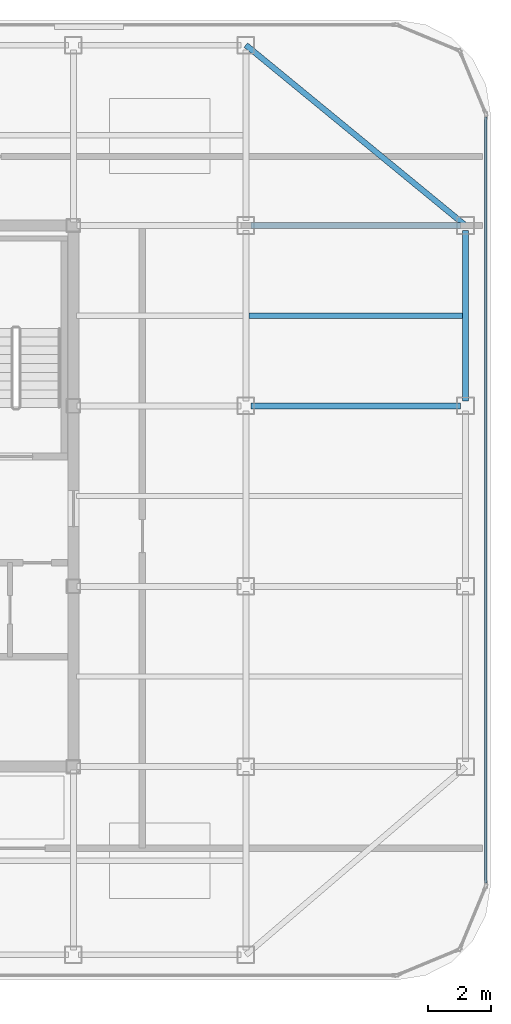
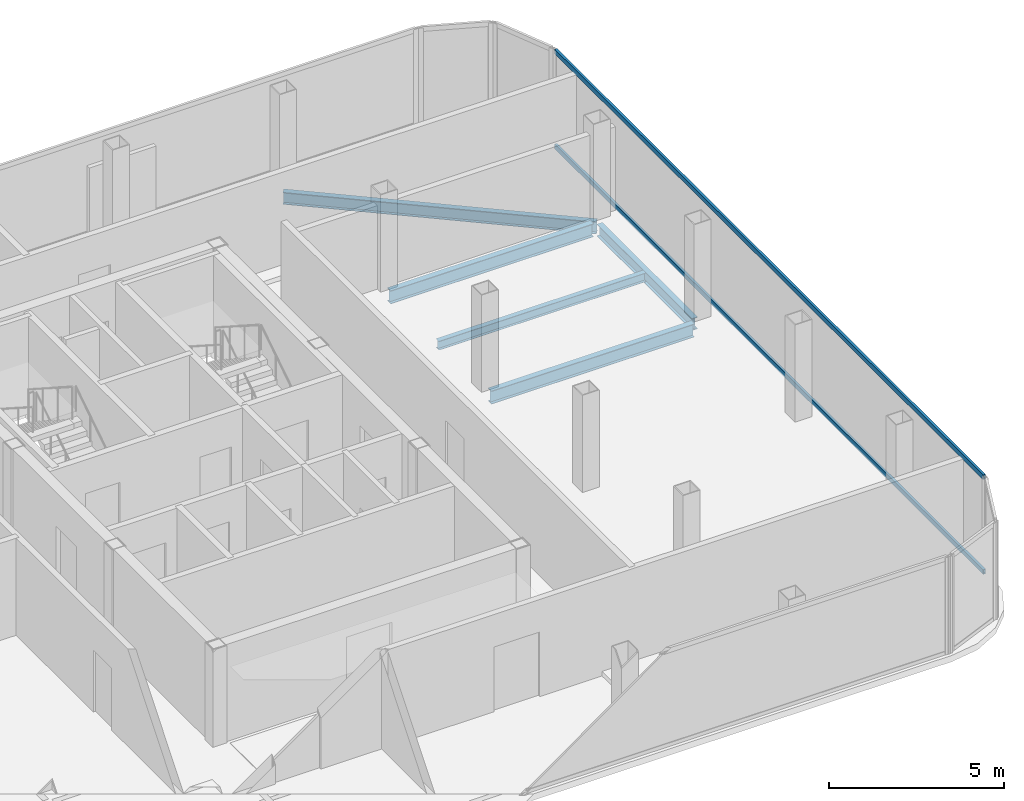
# One storey, part 7 of 11: 5 beams, 2 members, 1 element without a shape of its own.
"""IFC4 building model written with IfcOpenShell, lengths in metres."""

import ifcopenshell
import ifcopenshell.guid

model = None  # the IFC model being written
_history = None  # IfcOwnerHistory: only IFC2X3 demands one
_inside = {}  # id of a spatial element -> (the spatial element, [elements in it])
_under = {}  # id of a project, library or spatial element -> (it, [spatial elements below it])
_declared = {}  # id of a project -> (the project, [libraries it declares])
_typed = {}  # id of a type object -> (the type object, [elements of that type])
_made_of = {}  # id of a material, layer set ... -> (it, [elements and type objects made of it])


def new_model(schema):
    """Start an empty IFC model of exactly this schema.

    Asked for "IFC4X3", IfcOpenShell would pick the latest addendum, in which some entities
    have other attributes; the version numbers below select the first issue.
    IFC2X3 requires an IfcOwnerHistory on every rooted entity: one is made here for all.
    """
    global model, _history
    if schema == "IFC4X3":
        model = ifcopenshell.file(schema_version=(4, 3, 0, 0))
    else:
        model = ifcopenshell.file(schema=schema)
    _inside.clear()
    _under.clear()
    _declared.clear()
    _typed.clear()
    _made_of.clear()
    _history = None
    if model.schema == "IFC2X3":
        org = make("IfcOrganization", Name="unknown")
        user = make(
            "IfcPersonAndOrganization",
            ThePerson=make("IfcPerson", FamilyName="unknown"),
            TheOrganization=org,
        )
        app = make(
            "IfcApplication",
            ApplicationDeveloper=org,
            Version="unknown",
            ApplicationFullName="unknown",
            ApplicationIdentifier="unknown",
        )
        _history = make(
            "IfcOwnerHistory",
            OwningUser=user,
            OwningApplication=app,
            ChangeAction="ADDED",
            CreationDate=0,
        )
    return model


def make(cls, **values):
    """One entity of the class cls with the attributes given. An attribute that is None is left unset."""
    return model.create_entity(
        cls, **{name: value for name, value in values.items() if value is not None}
    )


def rooted(cls, **values):
    """An entity with a GlobalId (a new one), such as an element, a storey or a relation."""
    return make(cls, GlobalId=ifcopenshell.guid.new(), OwnerHistory=_history, **values)


def si_unit(unit_type, name, prefix=None):
    """IfcSIUnit, for example si_unit("LENGTHUNIT", "METRE", prefix="MILLI")."""
    return make("IfcSIUnit", UnitType=unit_type, Prefix=prefix, Name=name)


def assignment(units):
    """IfcUnitAssignment: the units of a project."""
    return None if units is None else make("IfcUnitAssignment", Units=units)


def point(xyz):
    """IfcCartesianPoint."""
    return None if xyz is None else make("IfcCartesianPoint", Coordinates=xyz)


def direction(xyz):
    """IfcDirection."""
    return None if xyz is None else make("IfcDirection", DirectionRatios=xyz)


def frame(location, z_axis=None, x_axis=None):
    """IfcAxis2Placement3D, a coordinate frame: its origin and axes. An axis left out is left unset."""
    return make(
        "IfcAxis2Placement3D",
        Location=point(location),
        Axis=direction(z_axis),
        RefDirection=direction(x_axis),
    )


def frame_2d(location, x_axis=None):
    """IfcAxis2Placement2D, a coordinate frame in the plane: its origin and x axis."""
    return make(
        "IfcAxis2Placement2D", Location=point(location), RefDirection=direction(x_axis)
    )


def origin():
    """The frame at (0, 0, 0) with its axes left unset."""
    return frame((0.0, 0.0, 0.0))


def origin_2d():
    """The frame at (0, 0) in the plane with its x axis left unset."""
    return frame_2d((0.0, 0.0))


def place(relative_to, where):
    """IfcLocalPlacement: puts the frame where relative to a parent placement (None: the world)."""
    return make(
        "IfcLocalPlacement", PlacementRelTo=relative_to, RelativePlacement=where
    )


def context(
    kind, dimensions, precision=None, world=None, true_north=None, identifier=None
):
    """IfcGeometricRepresentationContext, for example the 3D "Model" context."""
    return make(
        "IfcGeometricRepresentationContext",
        ContextIdentifier=identifier,
        ContextType=kind,
        CoordinateSpaceDimension=dimensions,
        Precision=precision,
        WorldCoordinateSystem=world,
        TrueNorth=true_north,
    )


def subcontext(parent, identifier, kind, view, scale=None):
    """IfcGeometricRepresentationSubContext, for example "Body" below "Model"."""
    return make(
        "IfcGeometricRepresentationSubContext",
        ContextIdentifier=identifier,
        ContextType=kind,
        ParentContext=parent,
        TargetScale=scale,
        TargetView=view,
    )


def project(units=None, contexts=None):
    """IfcProject with its units and contexts."""
    return rooted(
        "IfcProject",
        Name="project",
        RepresentationContexts=contexts,
        UnitsInContext=assignment(units),
    )


def spatial(cls, under=None, at=None, **own):
    """A site, building, storey or space (cls), placed at a placement, below another one or the project."""
    s = rooted(cls, ObjectPlacement=at, **own)
    if under is not None:
        _under.setdefault(under.id(), (under, []))[1].append(s)
    return s


def profile(cls, at=None, kind="AREA", **sizes):
    """A parametric profile (cls). Its sizes go by their IFC names, for example OverallWidth=200.0."""
    return make(cls, ProfileType=kind, Position=at, **sizes)


def hollow_rectangle(**sizes):
    """IfcRectangleHollowProfileDef."""
    return profile("IfcRectangleHollowProfileDef", **sizes)


def i_section(**sizes):
    """IfcIShapeProfileDef."""
    return profile("IfcIShapeProfileDef", **sizes)


def extrude(swept, where, along, depth):
    """IfcExtrudedAreaSolid: the profile swept, set in the frame where, extruded along a direction by depth."""
    return make(
        "IfcExtrudedAreaSolid",
        SweptArea=swept,
        Position=where,
        ExtrudedDirection=direction(along),
        Depth=depth,
    )


def shape(context_of_items, identifier, shape_type, items):
    """IfcShapeRepresentation: the items that make up one representation, for example the "Body"."""
    return make(
        "IfcShapeRepresentation",
        ContextOfItems=context_of_items,
        RepresentationIdentifier=identifier,
        RepresentationType=shape_type,
        Items=items,
    )


def source(mapping_origin, context_of_items, identifier, shape_type, items):
    """IfcRepresentationMap: a shape defined once, which mapped items show again and again."""
    return make(
        "IfcRepresentationMap",
        MappingOrigin=mapping_origin,
        MappedRepresentation=shape(context_of_items, identifier, shape_type, items),
    )


def transform(
    local_origin,
    x_axis=None,
    y_axis=None,
    z_axis=None,
    scale=None,
    scale2=None,
    scale3=None,
    uniform=True,
):
    """IfcCartesianTransformationOperator3D, or its non-uniform kind. x_axis, y_axis, z_axis: its Axis1, 2, 3."""
    if uniform:
        return make(
            "IfcCartesianTransformationOperator3D",
            Axis1=direction(x_axis),
            Axis2=direction(y_axis),
            LocalOrigin=point(local_origin),
            Scale=scale,
            Axis3=direction(z_axis),
        )
    return make(
        "IfcCartesianTransformationOperator3DnonUniform",
        Axis1=direction(x_axis),
        Axis2=direction(y_axis),
        LocalOrigin=point(local_origin),
        Scale=scale,
        Axis3=direction(z_axis),
        Scale2=scale2,
        Scale3=scale3,
    )


def mapped(mapping_source, mapping_target):
    """IfcMappedItem: shows the shape of a source again, moved by a transform."""
    return make(
        "IfcMappedItem", MappingSource=mapping_source, MappingTarget=mapping_target
    )


def material(Name=None, Category=None):
    """IfcMaterial."""
    return make("IfcMaterial", Name=Name, Category=Category)


def layer(
    of_material, thickness, ventilated=None, Name=None, Category=None, Priority=None
):
    """IfcMaterialLayer: one layer of a wall or slab, of a material (None: an air gap)."""
    return make(
        "IfcMaterialLayer",
        Material=of_material,
        LayerThickness=thickness,
        IsVentilated=ventilated,
        Name=Name,
        Category=Category,
        Priority=Priority,
    )


def layer_set(layers, Name=None):
    """IfcMaterialLayerSet."""
    return make("IfcMaterialLayerSet", MaterialLayers=layers, LayerSetName=Name)


def material_profile(
    of_material, cross_section, Name=None, Category=None, Priority=None
):
    """IfcMaterialProfile: a cross section and its material."""
    return make(
        "IfcMaterialProfile",
        Name=Name,
        Material=of_material,
        Profile=cross_section,
        Priority=Priority,
        Category=Category,
    )


def profile_set(profiles, Name=None, composite=None):
    """IfcMaterialProfileSet."""
    return make(
        "IfcMaterialProfileSet",
        Name=Name,
        MaterialProfiles=profiles,
        CompositeProfile=composite,
    )


def made_of(thing, what):
    """Note that an element or type object is made of a material, layer set ...; save() writes the relation."""
    if what is not None:
        _made_of.setdefault(what.id(), (what, []))[1].append(thing)
    return thing


def type_object(cls, material=None, **own):
    """A type object (cls), such as IfcWallType, which elements share."""
    return made_of(rooted(cls, **own), material)


def element(
    cls,
    number,
    at=None,
    inside=None,
    cuts=None,
    type_object=None,
    material=None,
    context=None,
    identifier="Body",
    shape_type=None,
    held_by="IfcProductDefinitionShape",
    body=None,
    shapes=None,
    **own,
):
    """One element of the class cls, such as IfcWall. Its Tag is "e" and its number.

    at: its placement. inside: the storey or other place that contains it. cuts: it is an
    opening in that element (IfcRelVoidsElement). A single representation is given by context,
    identifier, shape_type and body (its items); several are given by shapes. held_by: the class
    of the entity that holds the representations. save() writes the other relations.
    """
    e = rooted(cls, Tag="e%d" % number, ObjectPlacement=at, **own)
    if body is not None:
        shapes = [shape(context, identifier, shape_type, body)]
    if shapes is not None:
        e.Representation = make(held_by, Representations=shapes)
    if inside is not None:
        _inside.setdefault(inside.id(), (inside, []))[1].append(e)
    if cuts is not None:
        rooted(
            "IfcRelVoidsElement", RelatingBuildingElement=cuts, RelatedOpeningElement=e
        )
    if type_object is not None:
        _typed.setdefault(type_object.id(), (type_object, []))[1].append(e)
    return made_of(e, material)


def aggregate(whole, parts):
    """IfcRelAggregates: a whole, such as a stair, and the parts it consists of."""
    return rooted("IfcRelAggregates", RelatingObject=whole, RelatedObjects=parts)


def save(model, path):
    """Write the relations noted so far, then the file.

    IfcRelAggregates (storeys below a building ...), IfcRelContainedInSpatialStructure (elements
    in a storey), IfcRelDefinesByType, IfcRelAssociatesMaterial and IfcRelDeclares: one each for
    every whole, place, type object, material and project.
    """
    for whole, parts in _under.values():
        aggregate(whole, parts)
    for where, things in _inside.values():
        rooted(
            "IfcRelContainedInSpatialStructure",
            RelatedElements=things,
            RelatingStructure=where,
        )
    for kind, things in _typed.values():
        rooted("IfcRelDefinesByType", RelatedObjects=things, RelatingType=kind)
    for what, things in _made_of.values():
        rooted("IfcRelAssociatesMaterial", RelatedObjects=things, RelatingMaterial=what)
    for by, libraries in _declared.values():
        rooted("IfcRelDeclares", RelatingContext=by, RelatedDefinitions=libraries)
    model.write(path)


model = new_model("IFC4")

# Units and contexts
model_context = context("Model", 3, precision=1e-05, world=origin(), true_north=direction((0.0, 1.0)))
body_context = subcontext(model_context, "Body", "Model", "MODEL_VIEW")
ifc_project = project(units=[si_unit("LENGTHUNIT", "METRE"), si_unit("AREAUNIT", "SQUARE_METRE"), si_unit("VOLUMEUNIT", "CUBIC_METRE"), si_unit("PLANEANGLEUNIT", "RADIAN"), si_unit("MASSUNIT", "GRAM", prefix="KILO")], contexts=[model_context])

# Site, building, storey
site_placement = place(None, origin())
site = spatial("IfcSite", under=ifc_project, at=site_placement, CompositionType="ELEMENT")
building_placement = place(site_placement, origin())
building = spatial("IfcBuilding", under=site, at=building_placement, Name="Kolveth Station Tower", CompositionType="ELEMENT")
storey_placement = place(building_placement, frame((0.0, 0.0, 274.89990234375)))
storey = spatial("IfcBuildingStorey", under=building, at=storey_placement, Name="L79", CompositionType="ELEMENT", Elevation=274.89990234375)

# Beams
ifc_material_1 = material(Name="Steel S355", Category="steel")
ifc_material_profile_1 = material_profile(ifc_material_1, i_section(OverallWidth=0.180908203125, OverallDepth=0.4169921875, WebThickness=0.010986328125, FlangeThickness=0.018310546875, at=origin_2d()), Name="W410x85")
ifc_profile_set_1 = profile_set([ifc_material_profile_1], Name="Steel S355")
beam_type_1 = type_object("IfcBeamType", Name="Beam_B8", PredefinedType="BEAM", material=ifc_profile_set_1)
shared_shape_1 = source(origin(), body_context, "Body", "SweptSolid", [
    extrude(i_section(OverallWidth=0.180908203125, OverallDepth=0.4169921875, WebThickness=0.010986328125, FlangeThickness=0.018310546875, at=origin_2d()), origin(), (0.0, 0.0, 1.0), 5.43017578125),
])
beam_1_placement = place(storey_placement, frame((41.0, 23.159912109375, -0.428466796875), z_axis=(0.0, 1.0, 0.0), x_axis=(-1.0, 0.0, 0.0)))
element("IfcBeam", 1, at=beam_1_placement, inside=storey, type_object=beam_type_1, Name="L79 Perimeter Spandrel BM-L79-PE-3", PredefinedType="BEAM", context=body_context, shape_type="MappedRepresentation", body=[
    mapped(shared_shape_1, transform((0.0, 0.0, 0.0), x_axis=(1.0, 0.0, 0.0), y_axis=(0.0, 1.0, 0.0), z_axis=(0.0, 0.0, 1.0), scale=1.0)),
])
shared_shape_2 = source(origin(), body_context, "Body", "SweptSolid", [
    extrude(i_section(OverallWidth=0.180908203125, OverallDepth=0.4169921875, WebThickness=0.010986328125, FlangeThickness=0.018310546875, at=origin_2d()), origin(), (0.0, 0.0, 1.0), 9.058837890625),
])
beam_2_placement = place(storey_placement, frame((41.0, 28.75, -0.428466796875), z_axis=(-0.772726254525, 0.63473942336, 0.0), x_axis=(-0.63473942336, -0.772726254525, 0.0)))
element("IfcBeam", 2, at=beam_2_placement, inside=storey, type_object=beam_type_1, Name="L79 Corner Edge Girder BM-L79-CNR-NE", PredefinedType="BEAM", context=body_context, shape_type="MappedRepresentation", body=[
    mapped(shared_shape_2, transform((0.0, 0.0, 0.0), x_axis=(1.0, 0.0, 0.0), y_axis=(0.0, 1.0, 0.0), z_axis=(0.0, 0.0, 1.0), scale=1.0)),
])
ifc_material_profile_2 = material_profile(ifc_material_1, i_section(OverallWidth=0.19091796875, OverallDepth=0.4599609375, WebThickness=0.010009765625, FlangeThickness=0.01611328125, at=origin_2d()), Name="W460x82")
ifc_profile_set_2 = profile_set([ifc_material_profile_2], Name="Steel S355")
beam_type_2 = type_object("IfcBeamType", Name="Beam_B7", PredefinedType="BEAM", material=ifc_profile_set_2)
shared_shape_3 = source(origin(), body_context, "Body", "SweptSolid", [
    extrude(i_section(OverallWidth=0.19091796875, OverallDepth=0.4599609375, WebThickness=0.010009765625, FlangeThickness=0.01611328125, at=origin_2d()), origin(), (0.0, 0.0, 1.0), 6.68017578125),
])
for number, where, z_axis, x_axis, name in (
    (3, (34.159912109375, 23.0, -0.449951171875), (1.0, 0.0, 0.0), (0.0, 1.0, 0.0), "L79 Primary Girder BM-L79-GY230-5"),
    (4, (34.159912109375, 28.75, -0.449951171875), (1.0, 0.0, 0.0), (0.0, 1.0, 0.0), "L79 Primary Girder BM-L79-GY287-5"),
):
    element("IfcBeam", number, at=place(storey_placement, frame(where, z_axis=z_axis, x_axis=x_axis)), inside=storey, type_object=beam_type_2, Name=name, PredefinedType="BEAM", context=body_context, shape_type="MappedRepresentation", body=[
        mapped(shared_shape_3, transform((0.0, 0.0, 0.0), x_axis=(1.0, 0.0, 0.0), y_axis=(0.0, 1.0, 0.0), z_axis=(0.0, 0.0, 1.0), scale=1.0)),
    ])
ifc_material_profile_3 = material_profile(ifc_material_1, i_section(OverallWidth=0.1650390625, OverallDepth=0.31005859375, WebThickness=0.005859375, FlangeThickness=0.009765625, at=origin_2d()), Name="W310x39")
ifc_profile_set_3 = profile_set([ifc_material_profile_3], Name="Steel S355")
beam_type_3 = type_object("IfcBeamType", Name="Beam_J3", PredefinedType="JOIST", material=ifc_profile_set_3)
shared_shape_4 = source(origin(), body_context, "Body", "SweptSolid", [
    extrude(i_section(OverallWidth=0.1650390625, OverallDepth=0.31005859375, WebThickness=0.005859375, FlangeThickness=0.009765625, at=origin_2d()), origin(), (0.0, 0.0, 1.0), 6.818115234375),
])
beam_3_placement = place(storey_placement, frame((34.093505859375, 25.875, -0.375), z_axis=(1.0, 0.0, 0.0), x_axis=(0.0, 1.0, 0.0)))
element("IfcBeam", 5, at=beam_3_placement, inside=storey, type_object=beam_type_3, Name="L79 Secondary Joist JST-L79-5-4", PredefinedType="JOIST", context=body_context, shape_type="MappedRepresentation", body=[
    mapped(shared_shape_4, transform((0.0, 0.0, 0.0), x_axis=(1.0, 0.0, 0.0), y_axis=(0.0, 1.0, 0.0), z_axis=(0.0, 0.0, 1.0), scale=1.0)),
])

# Curtain wall, members
ifc_material_2 = material(Name="Black anodized aluminium 6063-T6 and dark crown glass", Category="aluminium")
ifc_layer = layer(ifc_material_2, 0.169921875)
ifc_layer_set = layer_set([ifc_layer], Name="Black anodized aluminium 6063-T6 and dark crown glass")
curtain_wall_type = type_object("IfcCurtainWallType", Name="CurtainWall_CW-CR", PredefinedType="NOTDEFINED", material=ifc_layer_set)
curtain_wall_placement = place(storey_placement, origin())
curtain_wall = element("IfcCurtainWall", 6, at=curtain_wall_placement, inside=storey, type_object=curtain_wall_type, Name="L79 Stepped Crown Curtain Wall 3", PredefinedType="NOTDEFINED")
ifc_material_3 = material(Name="Black anodized aluminium 6063-T6", Category="aluminium")
ifc_material_profile_4 = material_profile(ifc_material_3, hollow_rectangle(XDim=0.080078125, YDim=0.1650390625, WallThickness=0.0048828125, at=origin_2d()), Name="ALU-80x165x5")
ifc_profile_set_4 = profile_set([ifc_material_profile_4], Name="Black anodized aluminium 6063-T6")
member_type = type_object("IfcMemberType", Name="Transom_TR-CR", PredefinedType="USERDEFINED", material=ifc_profile_set_4)
shared_shape_5 = source(origin(), body_context, "Body", "SweptSolid", [
    extrude(hollow_rectangle(XDim=0.080078125, YDim=0.1650390625, WallThickness=0.0048828125, at=origin_2d()), origin(), (0.0, 0.0, 1.0), 24.43017578125),
])
member_1_placement = place(storey_placement, frame((41.64990234375, 7.784912109375, 0.0400390625), z_axis=(0.0, 1.0, 0.0), x_axis=(-1.0, 0.0, 0.0)))
member_1 = element("IfcMember", 7, at=member_1_placement, type_object=member_type, Name="CW-CR transom 1.1", ObjectType="TRANSOM", PredefinedType="USERDEFINED", context=body_context, shape_type="MappedRepresentation", body=[
    mapped(shared_shape_5, transform((0.0, 0.0, 0.0), x_axis=(1.0, 0.0, 0.0), y_axis=(0.0, 1.0, 0.0), z_axis=(0.0, 0.0, 1.0), scale=1.0)),
])
member_2_placement = place(storey_placement, frame((41.64990234375, 7.784912109375, 3.340087890625), z_axis=(0.0, 1.0, 0.0), x_axis=(-1.0, 0.0, 0.0)))
member_2 = element("IfcMember", 8, at=member_2_placement, type_object=member_type, Name="CW-CR transom 1.2", ObjectType="TRANSOM", PredefinedType="USERDEFINED", context=body_context, shape_type="MappedRepresentation", body=[
    mapped(shared_shape_5, transform((0.0, 0.0, 0.0), x_axis=(1.0, 0.0, 0.0), y_axis=(0.0, 1.0, 0.0), z_axis=(0.0, 0.0, 1.0), scale=1.0)),
])
aggregate(curtain_wall, [member_1, member_2])

save(model, "model.ifc")
